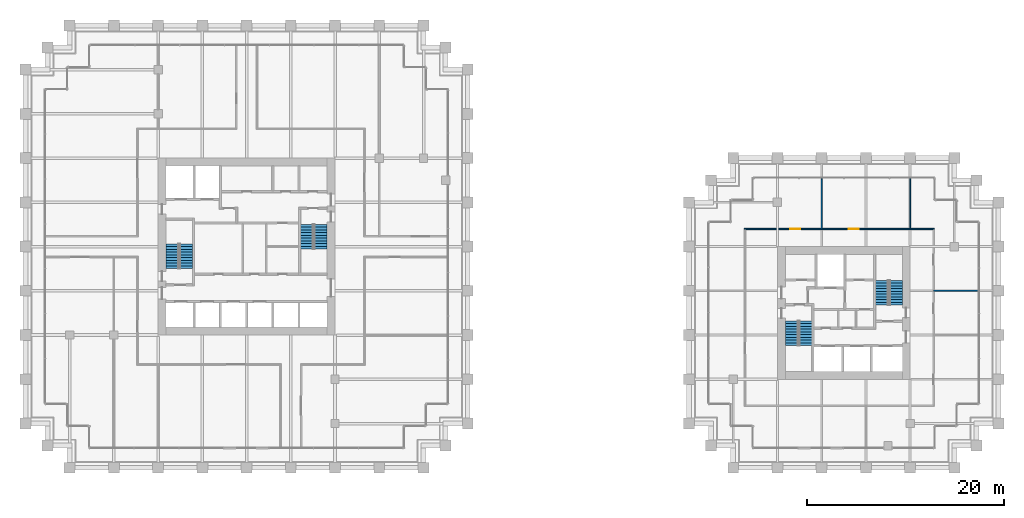
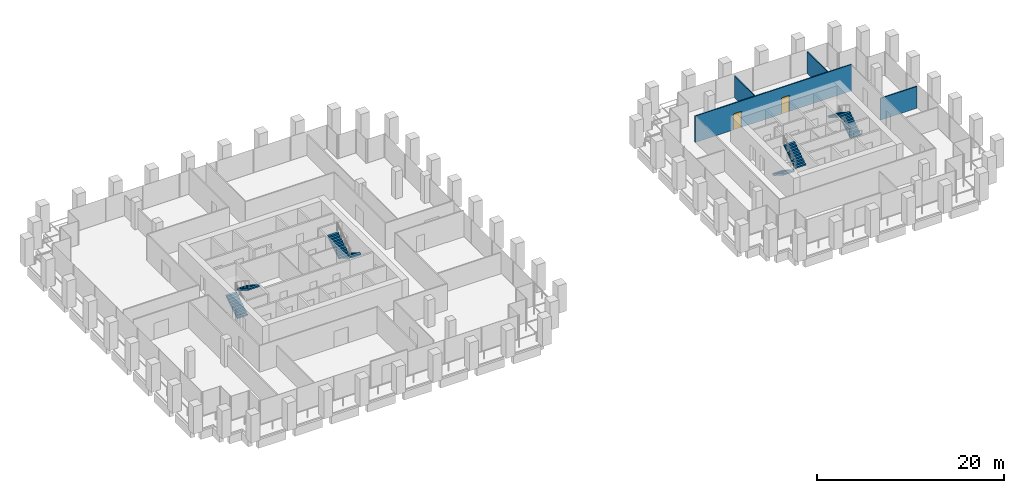
# One storey, part 53 of 54: 8 stair flights, 4 walls, 2 doors, 2 openings, 4 elements without a shape of their own.
"""IFC4 building model written with IfcOpenShell, lengths in metres."""

from ifc_helpers import new_model, si_unit, direction, frame, frame_2d, origin, place, context, subcontext, project, spatial, polyline, rectangle, outline, extrude, material, layer, layer_set, type_object, element, fill, aggregate, save


model = new_model("IFC4")

# Units and contexts
model_context = context("Model", 3, precision=1e-05, world=origin(), true_north=direction((0.0, 1.0)))
body_context = subcontext(model_context, "Body", "Model", "MODEL_VIEW")
ifc_project = project(units=[si_unit("LENGTHUNIT", "METRE"), si_unit("AREAUNIT", "SQUARE_METRE"), si_unit("VOLUMEUNIT", "CUBIC_METRE"), si_unit("PLANEANGLEUNIT", "RADIAN"), si_unit("MASSUNIT", "GRAM", prefix="KILO")], contexts=[model_context])

# Site, building, storey
site_placement = place(None, origin())
site = spatial("IfcSite", under=ifc_project, at=site_placement, CompositionType="ELEMENT")
building_placement = place(site_placement, origin())
building = spatial("IfcBuilding", under=site, at=building_placement, Name="Altepetl Exchange Towers", CompositionType="ELEMENT")
storey_placement = place(building_placement, frame((0.0, 0.0, 65.39990234375)))
storey = spatial("IfcBuildingStorey", under=building, at=storey_placement, Name="L15", CompositionType="ELEMENT", Elevation=65.39990234375)

# Wall
ifc_material_1 = material(Name="Gypsum board on steel studs", Category="steel")
ifc_layer = layer(ifc_material_1, 0.125)
ifc_layer_set = layer_set([ifc_layer], Name="Gypsum board on steel studs")
wall_type = type_object("IfcWallType", Name="Partition 125 gypsum board on steel studs", PredefinedType="PARTITIONING", material=ifc_layer_set)
wall_1_placement = place(storey_placement, frame((119.39990234375, 45.0, 0.0)))
element("IfcWall", 1, at=wall_1_placement, inside=storey, type_object=wall_type, Name="wall:B:L15:P04", PredefinedType="PARTITIONING", context=body_context, shape_type="SweptSolid", body=[
    extrude(rectangle(XDim=4.5, YDim=0.125, at=frame_2d((2.25, 0.0))), origin(), (0.0, 0.0, 1.0), 2.85107421875),
])

# Wall, openings, doors
wall_2_placement = place(storey_placement, frame((100.137451171875, 51.300048828125, 0.0)))
wall_2 = element("IfcWall", 2, at=wall_2_placement, inside=storey, type_object=wall_type, Name="wall:B:L15:P05", PredefinedType="PARTITIONING", context=body_context, shape_type="SweptSolid", body=[
    extrude(rectangle(XDim=19.324951171875, YDim=0.125, at=frame_2d((9.66259765625, 0.0))), origin(), (0.0, 0.0, 1.0), 3.4501953125),
])
opening_1_placement = place(wall_2_placement, frame((10.619384765625, 0.0, 0.0)))
opening_1 = element("IfcOpeningElement", 3, at=opening_1_placement, cuts=wall_2, Name="Opening L15.B05", PredefinedType="OPENING", context=body_context, shape_type="SweptSolid", body=[
    extrude(rectangle(XDim=1.0, YDim=2.10009765625, at=frame_2d((0.5, 1.050048828125))), frame((0.0, 0.072509765625, 0.0), z_axis=(0.0, -1.0, 0.0), x_axis=(1.0, 0.0, 0.0)), (0.0, 0.0, 1.0), 0.14501953125),
])
opening_2_placement = place(wall_2_placement, frame((4.6904296875, 0.0, 0.0)))
opening_2 = element("IfcOpeningElement", 4, at=opening_2_placement, cuts=wall_2, Name="Opening L15.B06", PredefinedType="OPENING", context=body_context, shape_type="SweptSolid", body=[
    extrude(rectangle(XDim=1.0, YDim=2.10009765625, at=frame_2d((0.5, 1.050048828125))), frame((0.0, 0.072509765625, 0.0), z_axis=(0.0, -1.0, 0.0), x_axis=(1.0, 0.0, 0.0)), (0.0, 0.0, 1.0), 0.14501953125),
])
ifc_material_2 = material(Name="Steel and timber fire door", Category="steel")
door_type = type_object("IfcDoorType", Name="Fire door 1000 x 2100 single leaf", OperationType="SINGLE_SWING_LEFT", PredefinedType="DOOR", material=ifc_material_2)
door_1_placement = place(opening_1_placement, origin())
door_1 = element("IfcDoor", 5, at=door_1_placement, inside=storey, type_object=door_type, Name="door:B:L15:05", OperationType="SINGLE_SWING_LEFT", OverallHeight=2.10009765625, OverallWidth=1.0, PredefinedType="DOOR", context=body_context, shape_type="SweptSolid", body=[
    extrude(rectangle(XDim=1.0, YDim=2.10009765625, at=frame_2d((0.5, 1.050048828125))), frame((0.0, 0.02490234375, 0.0), z_axis=(0.0, -1.0, 0.0), x_axis=(1.0, 0.0, 0.0)), (0.0, 0.0, 1.0), 0.050048828125),
])
fill(opening_1, door_1)
door_2_placement = place(opening_2_placement, frame((1.0, 0.0, 0.0), x_axis=(-1.0, 0.0, 0.0)))
door_2 = element("IfcDoor", 6, at=door_2_placement, inside=storey, type_object=door_type, Name="door:B:L15:06", OperationType="SINGLE_SWING_RIGHT", OverallHeight=2.10009765625, OverallWidth=1.0, PredefinedType="DOOR", context=body_context, shape_type="SweptSolid", body=[
    extrude(rectangle(XDim=1.0, YDim=2.10009765625, at=frame_2d((0.5, 1.050048828125))), frame((0.0, 0.02490234375, 0.0), z_axis=(0.0, -1.0, 0.0), x_axis=(1.0, 0.0, 0.0)), (0.0, 0.0, 1.0), 0.050048828125),
])
fill(opening_2, door_2)

# Walls
for number, where, z_axis, x_axis, name in (
    (7, (108.0, 51.300048828125, 0.0), (0.0, 0.0, 1.0), (0.0, 1.0, 0.0), "wall:B:L15:P07"),
    (8, (117.0, 51.300048828125, 0.0), (0.0, 0.0, 1.0), (0.0, 1.0, 0.0), "wall:B:L15:P09"),
):
    element("IfcWall", number, at=place(storey_placement, frame(where, z_axis=z_axis, x_axis=x_axis)), inside=storey, type_object=wall_type, Name=name, PredefinedType="PARTITIONING", context=body_context, shape_type="SweptSolid", body=[
        extrude(rectangle(XDim=5.099853515625, YDim=0.125, at=frame_2d((2.5498046875, 0.0))), origin(), (0.0, 0.0, 1.0), 2.85107421875),
    ])

# Stair, stair flights
ifc_material_3 = material(Name="Concrete C40/50", Category="concrete")
stair_type = type_object("IfcStairType", Name="Exit stair 1300 flights dogleg", PredefinedType="HALF_TURN_STAIR", material=ifc_material_3)
stair_1_placement = place(storey_placement, origin())
stair_1 = element("IfcStair", 9, at=stair_1_placement, inside=storey, type_object=stair_type, Name="Exit stair 1", PredefinedType="HALF_TURN_STAIR")
stair_flight_type = type_object("IfcStairFlightType", Name="Stair flight 1300 wide", PredefinedType="STRAIGHT", material=ifc_material_3)
stair_flight_1_placement = place(storey_placement, frame((41.949951171875, 47.25, 0.0), z_axis=(0.0, 0.0, 1.0), x_axis=(0.0, 1.0, 0.0)))
stair_flight_1 = element("IfcStairFlight", 10, at=stair_flight_1_placement, type_object=stair_flight_type, Name="ST-A1c flight 1", NumberOfRisers=10, NumberOfTreads=9, PredefinedType="STRAIGHT", RiserHeight=0.18, TreadLength=0.28, context=body_context, shape_type="SweptSolid", body=[
    extrude(outline(polyline([(0.0, 0.0), (0.0, 0.179931640625), (0.280029296875, 0.179931640625), (0.280029296875, 0.360107421875), (0.56005859375, 0.360107421875), (0.56005859375, 0.5400390625), (0.840087890625, 0.5400390625), (0.840087890625, 0.719970703125), (1.1201171875, 0.719970703125), (1.1201171875, 0.89990234375), (1.39990234375, 0.89990234375), (1.39990234375, 1.080078125), (1.679931640625, 1.080078125), (1.679931640625, 1.260009765625), (1.9599609375, 1.260009765625), (1.9599609375, 1.43994140625), (2.239990234375, 1.43994140625), (2.239990234375, 1.6201171875), (2.52001953125, 1.6201171875), (2.52001953125, 1.800048828125), (2.52001953125, 1.44189453125), (0.277099609375, 0.0), (0.0, 0.0)])), frame((0.0, 0.64990234375, 0.0), z_axis=(0.0, -1.0, 0.0), x_axis=(1.0, 0.0, 0.0)), (0.0, 0.0, 1.0), 1.300048828125),
])
stair_flight_2_placement = place(storey_placement, frame((43.35009765625, 49.77001953125, 1.800048828125), z_axis=(0.0, 0.0, 1.0), x_axis=(0.0, -1.0, 0.0)))
stair_flight_2 = element("IfcStairFlight", 11, at=stair_flight_2_placement, type_object=stair_flight_type, Name="ST-A1c flight 2", NumberOfRisers=10, NumberOfTreads=9, PredefinedType="STRAIGHT", RiserHeight=0.18, TreadLength=0.28, context=body_context, shape_type="SweptSolid", body=[
    extrude(outline(polyline([(0.0, 0.0), (0.0, 0.179931640625), (0.280029296875, 0.179931640625), (0.280029296875, 0.360107421875), (0.56005859375, 0.360107421875), (0.56005859375, 0.5400390625), (0.840087890625, 0.5400390625), (0.840087890625, 0.719970703125), (1.1201171875, 0.719970703125), (1.1201171875, 0.89990234375), (1.39990234375, 0.89990234375), (1.39990234375, 1.080078125), (1.679931640625, 1.080078125), (1.679931640625, 1.260009765625), (1.9599609375, 1.260009765625), (1.9599609375, 1.43994140625), (2.239990234375, 1.43994140625), (2.239990234375, 1.6201171875), (2.52001953125, 1.6201171875), (2.52001953125, 1.800048828125), (2.52001953125, 1.44189453125), (0.277099609375, 0.0), (0.0, 0.0)])), frame((0.0, 0.64990234375, 0.0), z_axis=(0.0, -1.0, 0.0), x_axis=(1.0, 0.0, 0.0)), (0.0, 0.0, 1.0), 1.300048828125),
])
aggregate(stair_1, [stair_flight_1, stair_flight_2])

stair_2_placement = place(storey_placement, origin())
stair_2 = element("IfcStair", 12, at=stair_2_placement, inside=storey, type_object=stair_type, Name="Exit stair 2", PredefinedType="HALF_TURN_STAIR")
stair_flight_3_placement = place(storey_placement, frame((57.050048828125, 51.75, 0.0), z_axis=(0.0, 0.0, 1.0), x_axis=(0.0, -1.0, 0.0)))
stair_flight_3 = element("IfcStairFlight", 13, at=stair_flight_3_placement, type_object=stair_flight_type, Name="ST-A2c flight 1", NumberOfRisers=10, NumberOfTreads=9, PredefinedType="STRAIGHT", RiserHeight=0.18, TreadLength=0.28, context=body_context, shape_type="SweptSolid", body=[
    extrude(outline(polyline([(0.0, 0.0), (0.0, 0.179931640625), (0.280029296875, 0.179931640625), (0.280029296875, 0.360107421875), (0.56005859375, 0.360107421875), (0.56005859375, 0.5400390625), (0.840087890625, 0.5400390625), (0.840087890625, 0.719970703125), (1.1201171875, 0.719970703125), (1.1201171875, 0.89990234375), (1.39990234375, 0.89990234375), (1.39990234375, 1.080078125), (1.679931640625, 1.080078125), (1.679931640625, 1.260009765625), (1.9599609375, 1.260009765625), (1.9599609375, 1.43994140625), (2.239990234375, 1.43994140625), (2.239990234375, 1.6201171875), (2.52001953125, 1.6201171875), (2.52001953125, 1.800048828125), (2.52001953125, 1.44189453125), (0.277099609375, 0.0), (0.0, 0.0)])), frame((0.0, 0.64990234375, 0.0), z_axis=(0.0, -1.0, 0.0), x_axis=(1.0, 0.0, 0.0)), (0.0, 0.0, 1.0), 1.300048828125),
])
stair_flight_4_placement = place(storey_placement, frame((55.64990234375, 49.22998046875, 1.800048828125), z_axis=(0.0, 0.0, 1.0), x_axis=(0.0, 1.0, 0.0)))
stair_flight_4 = element("IfcStairFlight", 14, at=stair_flight_4_placement, type_object=stair_flight_type, Name="ST-A2c flight 2", NumberOfRisers=10, NumberOfTreads=9, PredefinedType="STRAIGHT", RiserHeight=0.18, TreadLength=0.28, context=body_context, shape_type="SweptSolid", body=[
    extrude(outline(polyline([(0.0, 0.0), (0.0, 0.179931640625), (0.280029296875, 0.179931640625), (0.280029296875, 0.360107421875), (0.56005859375, 0.360107421875), (0.56005859375, 0.5400390625), (0.840087890625, 0.5400390625), (0.840087890625, 0.719970703125), (1.1201171875, 0.719970703125), (1.1201171875, 0.89990234375), (1.39990234375, 0.89990234375), (1.39990234375, 1.080078125), (1.679931640625, 1.080078125), (1.679931640625, 1.260009765625), (1.9599609375, 1.260009765625), (1.9599609375, 1.43994140625), (2.239990234375, 1.43994140625), (2.239990234375, 1.6201171875), (2.52001953125, 1.6201171875), (2.52001953125, 1.800048828125), (2.52001953125, 1.44189453125), (0.277099609375, 0.0), (0.0, 0.0)])), frame((0.0, 0.64990234375, 0.0), z_axis=(0.0, -1.0, 0.0), x_axis=(1.0, 0.0, 0.0)), (0.0, 0.0, 1.0), 1.300048828125),
])
aggregate(stair_2, [stair_flight_3, stair_flight_4])

stair_3_placement = place(storey_placement, origin())
stair_3 = element("IfcStair", 15, at=stair_3_placement, inside=storey, type_object=stair_type, Name="Exit stair 1", PredefinedType="HALF_TURN_STAIR")
stair_flight_5_placement = place(storey_placement, frame((104.949951171875, 41.949951171875, 0.0), z_axis=(0.0, 0.0, 1.0), x_axis=(0.0, -1.0, 0.0)))
stair_flight_5 = element("IfcStairFlight", 16, at=stair_flight_5_placement, type_object=stair_flight_type, Name="ST-B1c flight 1", NumberOfRisers=10, NumberOfTreads=9, PredefinedType="STRAIGHT", RiserHeight=0.18, TreadLength=0.28, context=body_context, shape_type="SweptSolid", body=[
    extrude(outline(polyline([(0.0, 0.0), (0.0, 0.179931640625), (0.280029296875, 0.179931640625), (0.280029296875, 0.360107421875), (0.56005859375, 0.360107421875), (0.56005859375, 0.5400390625), (0.840087890625, 0.5400390625), (0.840087890625, 0.719970703125), (1.1201171875, 0.719970703125), (1.1201171875, 0.89990234375), (1.39990234375, 0.89990234375), (1.39990234375, 1.080078125), (1.679931640625, 1.080078125), (1.679931640625, 1.260009765625), (1.9599609375, 1.260009765625), (1.9599609375, 1.43994140625), (2.239990234375, 1.43994140625), (2.239990234375, 1.6201171875), (2.52001953125, 1.6201171875), (2.52001953125, 1.800048828125), (2.52001953125, 1.44189453125), (0.277099609375, 0.0), (0.0, 0.0)])), frame((0.0, 0.64990234375, 0.0), z_axis=(0.0, -1.0, 0.0), x_axis=(1.0, 0.0, 0.0)), (0.0, 0.0, 1.0), 1.300048828125),
])
stair_flight_6_placement = place(storey_placement, frame((106.35009765625, 39.429931640625, 1.800048828125), z_axis=(0.0, 0.0, 1.0), x_axis=(0.0, 1.0, 0.0)))
stair_flight_6 = element("IfcStairFlight", 17, at=stair_flight_6_placement, type_object=stair_flight_type, Name="ST-B1c flight 2", NumberOfRisers=10, NumberOfTreads=9, PredefinedType="STRAIGHT", RiserHeight=0.18, TreadLength=0.28, context=body_context, shape_type="SweptSolid", body=[
    extrude(outline(polyline([(0.0, 0.0), (0.0, 0.179931640625), (0.280029296875, 0.179931640625), (0.280029296875, 0.360107421875), (0.56005859375, 0.360107421875), (0.56005859375, 0.5400390625), (0.840087890625, 0.5400390625), (0.840087890625, 0.719970703125), (1.1201171875, 0.719970703125), (1.1201171875, 0.89990234375), (1.39990234375, 0.89990234375), (1.39990234375, 1.080078125), (1.679931640625, 1.080078125), (1.679931640625, 1.260009765625), (1.9599609375, 1.260009765625), (1.9599609375, 1.43994140625), (2.239990234375, 1.43994140625), (2.239990234375, 1.6201171875), (2.52001953125, 1.6201171875), (2.52001953125, 1.800048828125), (2.52001953125, 1.44189453125), (0.277099609375, 0.0), (0.0, 0.0)])), frame((0.0, 0.64990234375, 0.0), z_axis=(0.0, -1.0, 0.0), x_axis=(1.0, 0.0, 0.0)), (0.0, 0.0, 1.0), 1.300048828125),
])
aggregate(stair_3, [stair_flight_5, stair_flight_6])

stair_4_placement = place(storey_placement, origin())
stair_4 = element("IfcStair", 18, at=stair_4_placement, inside=storey, type_object=stair_type, Name="Exit stair 2", PredefinedType="HALF_TURN_STAIR")
stair_flight_7_placement = place(storey_placement, frame((115.550048828125, 43.550048828125, 0.0), z_axis=(0.0, 0.0, 1.0), x_axis=(0.0, 1.0, 0.0)))
stair_flight_7 = element("IfcStairFlight", 19, at=stair_flight_7_placement, type_object=stair_flight_type, Name="ST-B2c flight 1", NumberOfRisers=10, NumberOfTreads=9, PredefinedType="STRAIGHT", RiserHeight=0.18, TreadLength=0.28, context=body_context, shape_type="SweptSolid", body=[
    extrude(outline(polyline([(0.0, 0.0), (0.0, 0.179931640625), (0.280029296875, 0.179931640625), (0.280029296875, 0.360107421875), (0.56005859375, 0.360107421875), (0.56005859375, 0.5400390625), (0.840087890625, 0.5400390625), (0.840087890625, 0.719970703125), (1.1201171875, 0.719970703125), (1.1201171875, 0.89990234375), (1.39990234375, 0.89990234375), (1.39990234375, 1.080078125), (1.679931640625, 1.080078125), (1.679931640625, 1.260009765625), (1.9599609375, 1.260009765625), (1.9599609375, 1.43994140625), (2.239990234375, 1.43994140625), (2.239990234375, 1.6201171875), (2.52001953125, 1.6201171875), (2.52001953125, 1.800048828125), (2.52001953125, 1.44189453125), (0.277099609375, 0.0), (0.0, 0.0)])), frame((0.0, 0.64990234375, 0.0), z_axis=(0.0, -1.0, 0.0), x_axis=(1.0, 0.0, 0.0)), (0.0, 0.0, 1.0), 1.300048828125),
])
stair_flight_8_placement = place(storey_placement, frame((114.14990234375, 46.070068359375, 1.800048828125), z_axis=(0.0, 0.0, 1.0), x_axis=(0.0, -1.0, 0.0)))
stair_flight_8 = element("IfcStairFlight", 20, at=stair_flight_8_placement, type_object=stair_flight_type, Name="ST-B2c flight 2", NumberOfRisers=10, NumberOfTreads=9, PredefinedType="STRAIGHT", RiserHeight=0.18, TreadLength=0.28, context=body_context, shape_type="SweptSolid", body=[
    extrude(outline(polyline([(0.0, 0.0), (0.0, 0.179931640625), (0.280029296875, 0.179931640625), (0.280029296875, 0.360107421875), (0.56005859375, 0.360107421875), (0.56005859375, 0.5400390625), (0.840087890625, 0.5400390625), (0.840087890625, 0.719970703125), (1.1201171875, 0.719970703125), (1.1201171875, 0.89990234375), (1.39990234375, 0.89990234375), (1.39990234375, 1.080078125), (1.679931640625, 1.080078125), (1.679931640625, 1.260009765625), (1.9599609375, 1.260009765625), (1.9599609375, 1.43994140625), (2.239990234375, 1.43994140625), (2.239990234375, 1.6201171875), (2.52001953125, 1.6201171875), (2.52001953125, 1.800048828125), (2.52001953125, 1.44189453125), (0.277099609375, 0.0), (0.0, 0.0)])), frame((0.0, 0.64990234375, 0.0), z_axis=(0.0, -1.0, 0.0), x_axis=(1.0, 0.0, 0.0)), (0.0, 0.0, 1.0), 1.300048828125),
])
aggregate(stair_4, [stair_flight_7, stair_flight_8])

save(model, "model.ifc")
